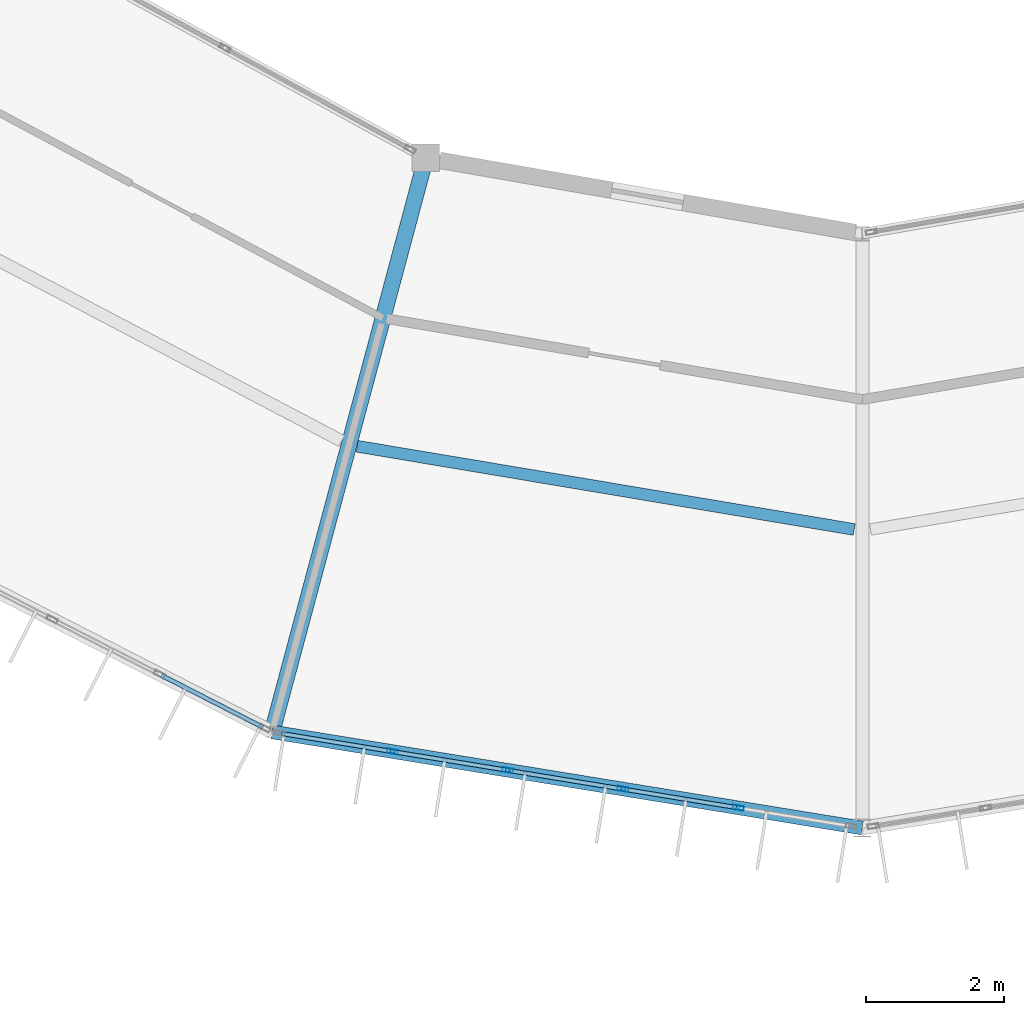
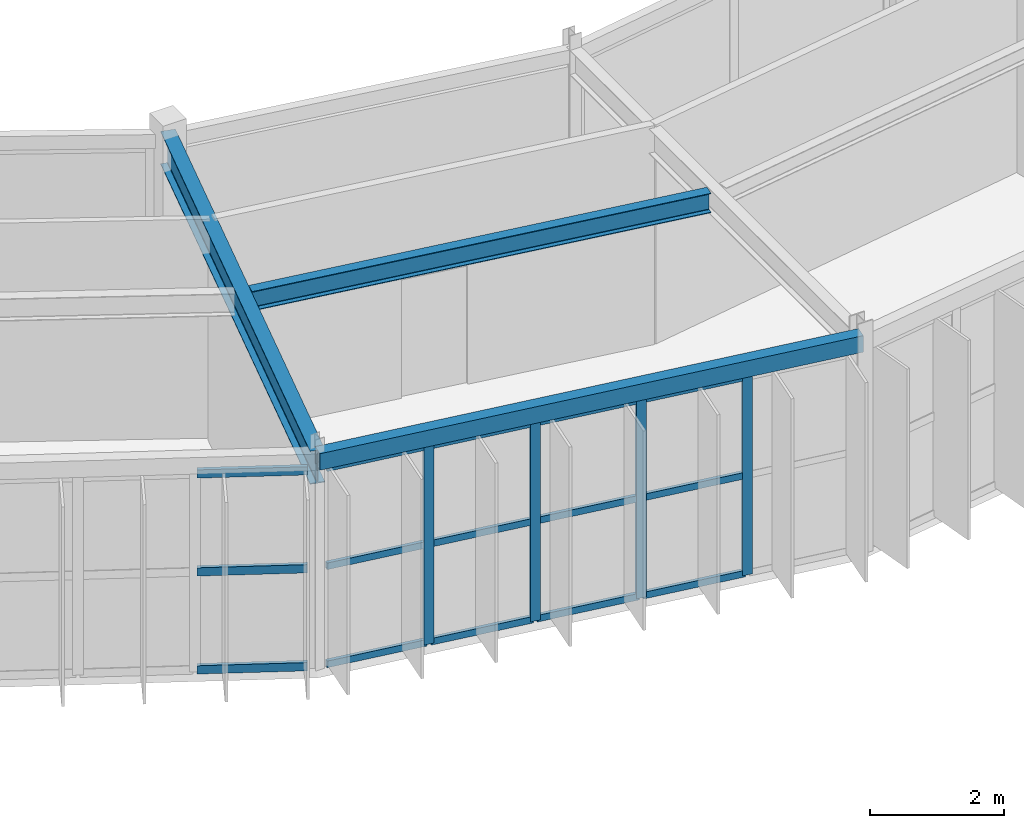
# One storey, part 32 of 157: 19 members, 3 beams, 2 elements without a shape of their own.
"""IFC4 building model written with IfcOpenShell, lengths in metres."""

from ifc_helpers import new_model, si_unit, direction, frame, origin, origin_2d, place, context, subcontext, project, spatial, hollow_rectangle, i_section, extrude, material, material_profile, profile_set, type_object, element, aggregate, save


model = new_model("IFC4")

# Units and contexts
model_context = context("Model", 3, precision=1e-05, world=origin(), true_north=direction((0.0, 1.0)))
body_context = subcontext(model_context, "Body", "Model", "MODEL_VIEW")
ifc_project = project(units=[si_unit("LENGTHUNIT", "METRE"), si_unit("AREAUNIT", "SQUARE_METRE"), si_unit("VOLUMEUNIT", "CUBIC_METRE"), si_unit("PLANEANGLEUNIT", "RADIAN"), si_unit("MASSUNIT", "GRAM", prefix="KILO")], contexts=[model_context])

# Site, building, storey
site_placement = place(None, origin())
site = spatial("IfcSite", under=ifc_project, at=site_placement, CompositionType="ELEMENT")
building_placement = place(site_placement, origin())
building = spatial("IfcBuilding", under=site, at=building_placement, Name="Karori Crest Natural Sciences Institute", CompositionType="ELEMENT")
storey_placement = place(building_placement, frame((0.0, 0.0, 13.300048828125)))
storey = spatial("IfcBuildingStorey", under=building, at=storey_placement, Name="L03", CompositionType="ELEMENT", Elevation=13.300048828125)

# Beams
ifc_material_1 = material(Name="Hollow structural steel AS/NZS 1163 Grade C350", Category="steel")
ifc_material_profile_1 = material_profile(ifc_material_1, hollow_rectangle(XDim=0.199951171875, YDim=0.300048828125, WallThickness=0.010009765625, at=origin_2d()), Name="RHS300x200x10")
ifc_profile_set_1 = profile_set([ifc_material_profile_1], Name="Hollow structural steel AS/NZS 1163 Grade C350")
beam_type_1 = type_object("IfcBeamType", Name="BT-15", PredefinedType="SPANDREL", material=ifc_profile_set_1)
beam_1_placement = place(storey_placement, frame((57.85888671875, 10.490234375, 3.7900390625), z_axis=(0.987012055933, -0.160646199591, 0.0), x_axis=(0.160646199591, 0.987012055933, 0.0)))
element("IfcBeam", 1, at=beam_1_placement, inside=storey, type_object=beam_type_1, Name="Beam B-0424", PredefinedType="SPANDREL", context=body_context, shape_type="SweptSolid", body=[
    extrude(hollow_rectangle(XDim=0.199951171875, YDim=0.300048828125, WallThickness=0.010009765625, at=origin_2d()), origin(), (0.0, 0.0, 1.0), 8.6533203125),
])
ifc_material_2 = material(Name="Structural steel AS/NZS 3679.1 Grade 350", Category="steel")
ifc_material_profile_2 = material_profile(ifc_material_2, i_section(OverallWidth=0.22802734375, OverallDepth=0.60205078125, WebThickness=0.010498046875, FlangeThickness=0.014892578125, FilletRadius=0.013916015625, at=origin_2d()), Name="610UB101")
ifc_profile_set_2 = profile_set([ifc_material_profile_2], Name="Structural steel AS/NZS 3679.1 Grade 350")
beam_type_2 = type_object("IfcBeamType", Name="BT-27", PredefinedType="BEAM", material=ifc_profile_set_2)
beam_2_placement = place(storey_placement, frame((60.084716796875, 18.797119140625, 3.638916015625), z_axis=(-0.258819806009, -0.965925622404, 0.0), x_axis=(0.965925622404, -0.258819806009, 0.0)))
element("IfcBeam", 2, at=beam_2_placement, inside=storey, type_object=beam_type_2, Name="Beam B-0426", PredefinedType="BEAM", context=body_context, shape_type="SweptSolid", body=[
    extrude(i_section(OverallWidth=0.22802734375, OverallDepth=0.60205078125, WebThickness=0.010498046875, FlangeThickness=0.014892578125, FilletRadius=0.013916015625, at=origin_2d()), origin(), (0.0, 0.0, 1.0), 8.599853515625),
])
ifc_material_profile_3 = material_profile(ifc_material_2, i_section(OverallWidth=0.1708984375, OverallDepth=0.35595703125, WebThickness=0.00732421875, FlangeThickness=0.011474609375, FilletRadius=0.010986328125, at=origin_2d()), Name="360UB50.7")
ifc_profile_set_3 = profile_set([ifc_material_profile_3], Name="Structural steel AS/NZS 3679.1 Grade 350")
beam_type_3 = type_object("IfcBeamType", Name="BT-30", PredefinedType="BEAM", material=ifc_profile_set_3)
beam_3_placement = place(storey_placement, frame((59.09033203125, 14.623779296875, 3.761962890625), z_axis=(0.986275115433, -0.165110256126, 0.0), x_axis=(0.165110256126, 0.986275115433, 0.0)))
element("IfcBeam", 3, at=beam_3_placement, inside=storey, type_object=beam_type_3, Name="Beam B-0427", PredefinedType="BEAM", context=body_context, shape_type="SweptSolid", body=[
    extrude(i_section(OverallWidth=0.1708984375, OverallDepth=0.35595703125, WebThickness=0.00732421875, FlangeThickness=0.011474609375, FilletRadius=0.010986328125, at=origin_2d()), origin(), (0.0, 0.0, 1.0), 7.291259765625),
])

# Curtain wall, members
ifc_material_3 = material(Name="Anodised architectural aluminium 6063-T6", Category="aluminium")
curtain_wall_type_1 = type_object("IfcCurtainWallType", Name="CWT-08", PredefinedType="NOTDEFINED", material=ifc_material_3)
curtain_wall_1_placement = place(storey_placement, origin())
curtain_wall_1 = element("IfcCurtainWall", 4, at=curtain_wall_1_placement, inside=storey, type_object=curtain_wall_type_1, Name="Curtain wall CW-0126", PredefinedType="NOTDEFINED")
ifc_material_profile_4 = material_profile(ifc_material_3, hollow_rectangle(XDim=0.06494140625, YDim=0.159912109375, WallThickness=0.00390625, at=origin_2d()), Name="CWM160x65x4")
ifc_profile_set_4 = profile_set([ifc_material_profile_4], Name="Anodised architectural aluminium 6063-T6")
member_type_1 = type_object("IfcMemberType", Name="CWM-01", PredefinedType="MULLION", material=ifc_profile_set_4)
member_1_placement = place(storey_placement, frame((64.60595703125, 9.39208984375, 0.0), z_axis=(0.0, 0.0, 1.0), x_axis=(-0.160655493101, -0.987010543275, 0.0)))
member_1 = element("IfcMember", 5, at=member_1_placement, type_object=member_type_1, Name="CW-0126 mullion 2", PredefinedType="MULLION", context=body_context, shape_type="SweptSolid", body=[
    extrude(hollow_rectangle(XDim=0.06494140625, YDim=0.159912109375, WallThickness=0.00390625, at=origin_2d()), origin(), (0.0, 0.0, 1.0), 3.625),
])
member_2_placement = place(storey_placement, frame((62.93798828125, 9.66357421875, 0.0), z_axis=(0.0, 0.0, 1.0), x_axis=(-0.160655493101, -0.987010543275, 0.0)))
member_2 = element("IfcMember", 6, at=member_2_placement, type_object=member_type_1, Name="CW-0126 mullion 3", PredefinedType="MULLION", context=body_context, shape_type="SweptSolid", body=[
    extrude(hollow_rectangle(XDim=0.06494140625, YDim=0.159912109375, WallThickness=0.00390625, at=origin_2d()), origin(), (0.0, 0.0, 1.0), 3.625),
])
member_3_placement = place(storey_placement, frame((61.27001953125, 9.93505859375, 0.0), z_axis=(0.0, 0.0, 1.0), x_axis=(-0.160655493101, -0.987010543275, 0.0)))
member_3 = element("IfcMember", 7, at=member_3_placement, type_object=member_type_1, Name="CW-0126 mullion 4", PredefinedType="MULLION", context=body_context, shape_type="SweptSolid", body=[
    extrude(hollow_rectangle(XDim=0.06494140625, YDim=0.159912109375, WallThickness=0.00390625, at=origin_2d()), origin(), (0.0, 0.0, 1.0), 3.625),
])
member_4_placement = place(storey_placement, frame((59.60205078125, 10.20654296875, 0.0), z_axis=(0.0, 0.0, 1.0), x_axis=(-0.160655493101, -0.987010543275, 0.0)))
member_4 = element("IfcMember", 8, at=member_4_placement, type_object=member_type_1, Name="CW-0126 mullion 5", PredefinedType="MULLION", context=body_context, shape_type="SweptSolid", body=[
    extrude(hollow_rectangle(XDim=0.06494140625, YDim=0.159912109375, WallThickness=0.00390625, at=origin_2d()), origin(), (0.0, 0.0, 1.0), 3.625),
])
ifc_material_profile_5 = material_profile(ifc_material_3, hollow_rectangle(XDim=0.06005859375, YDim=0.1201171875, WallThickness=0.00390625, at=origin_2d()), Name="CWT120x60x4")
ifc_profile_set_5 = profile_set([ifc_material_profile_5], Name="Anodised architectural aluminium 6063-T6")
member_type_2 = type_object("IfcMemberType", Name="CWT-TR1", PredefinedType="USERDEFINED", material=ifc_profile_set_5)
member_5_placement = place(storey_placement, frame((64.573974609375, 9.397216796875, 0.030029296875), z_axis=(-0.987020010371, 0.1605973198, 0.0), x_axis=(-0.1605973198, -0.987020010371, 0.0)))
member_5 = element("IfcMember", 9, at=member_5_placement, type_object=member_type_2, Name="CW-0126 transom 2.1", ObjectType="TRANSOM", PredefinedType="USERDEFINED", context=body_context, shape_type="SweptSolid", body=[
    extrude(hollow_rectangle(XDim=0.06005859375, YDim=0.1201171875, WallThickness=0.00390625, at=origin_2d()), origin(), (0.0, 0.0, 1.0), 1.625),
])
member_6_placement = place(storey_placement, frame((64.573974609375, 9.397216796875, 1.8125), z_axis=(-0.987020010371, 0.1605973198, 0.0), x_axis=(-0.1605973198, -0.987020010371, 0.0)))
member_6 = element("IfcMember", 10, at=member_6_placement, type_object=member_type_2, Name="CW-0126 transom 2.2", ObjectType="TRANSOM", PredefinedType="USERDEFINED", context=body_context, shape_type="SweptSolid", body=[
    extrude(hollow_rectangle(XDim=0.06005859375, YDim=0.1201171875, WallThickness=0.00390625, at=origin_2d()), origin(), (0.0, 0.0, 1.0), 1.625),
])
member_7_placement = place(storey_placement, frame((64.573974609375, 9.397216796875, 3.594970703125), z_axis=(-0.987020010371, 0.1605973198, 0.0), x_axis=(-0.1605973198, -0.987020010371, 0.0)))
member_7 = element("IfcMember", 11, at=member_7_placement, type_object=member_type_2, Name="CW-0126 transom 2.3", ObjectType="TRANSOM", PredefinedType="USERDEFINED", context=body_context, shape_type="SweptSolid", body=[
    extrude(hollow_rectangle(XDim=0.06005859375, YDim=0.1201171875, WallThickness=0.00390625, at=origin_2d()), origin(), (0.0, 0.0, 1.0), 1.625),
])
member_8_placement = place(storey_placement, frame((62.906005859375, 9.668701171875, 0.030029296875), z_axis=(-0.987020010371, 0.1605973198, 0.0), x_axis=(-0.1605973198, -0.987020010371, 0.0)))
member_8 = element("IfcMember", 12, at=member_8_placement, type_object=member_type_2, Name="CW-0126 transom 3.1", ObjectType="TRANSOM", PredefinedType="USERDEFINED", context=body_context, shape_type="SweptSolid", body=[
    extrude(hollow_rectangle(XDim=0.06005859375, YDim=0.1201171875, WallThickness=0.00390625, at=origin_2d()), origin(), (0.0, 0.0, 1.0), 1.625),
])
member_9_placement = place(storey_placement, frame((62.906005859375, 9.668701171875, 1.8125), z_axis=(-0.987020010371, 0.1605973198, 0.0), x_axis=(-0.1605973198, -0.987020010371, 0.0)))
member_9 = element("IfcMember", 13, at=member_9_placement, type_object=member_type_2, Name="CW-0126 transom 3.2", ObjectType="TRANSOM", PredefinedType="USERDEFINED", context=body_context, shape_type="SweptSolid", body=[
    extrude(hollow_rectangle(XDim=0.06005859375, YDim=0.1201171875, WallThickness=0.00390625, at=origin_2d()), origin(), (0.0, 0.0, 1.0), 1.625),
])
member_10_placement = place(storey_placement, frame((62.906005859375, 9.668701171875, 3.594970703125), z_axis=(-0.987020010371, 0.1605973198, 0.0), x_axis=(-0.1605973198, -0.987020010371, 0.0)))
member_10 = element("IfcMember", 14, at=member_10_placement, type_object=member_type_2, Name="CW-0126 transom 3.3", ObjectType="TRANSOM", PredefinedType="USERDEFINED", context=body_context, shape_type="SweptSolid", body=[
    extrude(hollow_rectangle(XDim=0.06005859375, YDim=0.1201171875, WallThickness=0.00390625, at=origin_2d()), origin(), (0.0, 0.0, 1.0), 1.625),
])
member_11_placement = place(storey_placement, frame((61.238037109375, 9.940185546875, 0.030029296875), z_axis=(-0.987020010371, 0.1605973198, 0.0), x_axis=(-0.1605973198, -0.987020010371, 0.0)))
member_11 = element("IfcMember", 15, at=member_11_placement, type_object=member_type_2, Name="CW-0126 transom 4.1", ObjectType="TRANSOM", PredefinedType="USERDEFINED", context=body_context, shape_type="SweptSolid", body=[
    extrude(hollow_rectangle(XDim=0.06005859375, YDim=0.1201171875, WallThickness=0.00390625, at=origin_2d()), origin(), (0.0, 0.0, 1.0), 1.625),
])
member_12_placement = place(storey_placement, frame((61.238037109375, 9.940185546875, 1.8125), z_axis=(-0.987020010371, 0.1605973198, 0.0), x_axis=(-0.1605973198, -0.987020010371, 0.0)))
member_12 = element("IfcMember", 16, at=member_12_placement, type_object=member_type_2, Name="CW-0126 transom 4.2", ObjectType="TRANSOM", PredefinedType="USERDEFINED", context=body_context, shape_type="SweptSolid", body=[
    extrude(hollow_rectangle(XDim=0.06005859375, YDim=0.1201171875, WallThickness=0.00390625, at=origin_2d()), origin(), (0.0, 0.0, 1.0), 1.625),
])
member_13_placement = place(storey_placement, frame((61.238037109375, 9.940185546875, 3.594970703125), z_axis=(-0.987020010371, 0.1605973198, 0.0), x_axis=(-0.1605973198, -0.987020010371, 0.0)))
member_13 = element("IfcMember", 17, at=member_13_placement, type_object=member_type_2, Name="CW-0126 transom 4.3", ObjectType="TRANSOM", PredefinedType="USERDEFINED", context=body_context, shape_type="SweptSolid", body=[
    extrude(hollow_rectangle(XDim=0.06005859375, YDim=0.1201171875, WallThickness=0.00390625, at=origin_2d()), origin(), (0.0, 0.0, 1.0), 1.625),
])
member_14_placement = place(storey_placement, frame((59.56982421875, 10.211669921875, 0.030029296875), z_axis=(-0.987008400747, 0.16066865548, 0.0), x_axis=(-0.16066865548, -0.987008400747, 0.0)))
member_14 = element("IfcMember", 18, at=member_14_placement, type_object=member_type_2, Name="CW-0126 transom 5.1", ObjectType="TRANSOM", PredefinedType="USERDEFINED", context=body_context, shape_type="SweptSolid", body=[
    extrude(hollow_rectangle(XDim=0.06005859375, YDim=0.1201171875, WallThickness=0.00390625, at=origin_2d()), origin(), (0.0, 0.0, 1.0), 1.592529296875),
])
member_15_placement = place(storey_placement, frame((59.56982421875, 10.211669921875, 1.8125), z_axis=(-0.987008400747, 0.16066865548, 0.0), x_axis=(-0.16066865548, -0.987008400747, 0.0)))
member_15 = element("IfcMember", 19, at=member_15_placement, type_object=member_type_2, Name="CW-0126 transom 5.2", ObjectType="TRANSOM", PredefinedType="USERDEFINED", context=body_context, shape_type="SweptSolid", body=[
    extrude(hollow_rectangle(XDim=0.06005859375, YDim=0.1201171875, WallThickness=0.00390625, at=origin_2d()), origin(), (0.0, 0.0, 1.0), 1.592529296875),
])
member_16_placement = place(storey_placement, frame((59.56982421875, 10.211669921875, 3.594970703125), z_axis=(-0.987008400747, 0.16066865548, 0.0), x_axis=(-0.16066865548, -0.987008400747, 0.0)))
member_16 = element("IfcMember", 20, at=member_16_placement, type_object=member_type_2, Name="CW-0126 transom 5.3", ObjectType="TRANSOM", PredefinedType="USERDEFINED", context=body_context, shape_type="SweptSolid", body=[
    extrude(hollow_rectangle(XDim=0.06005859375, YDim=0.1201171875, WallThickness=0.00390625, at=origin_2d()), origin(), (0.0, 0.0, 1.0), 1.592529296875),
])
aggregate(curtain_wall_1, [member_1, member_2, member_3, member_4, member_5, member_6, member_7, member_8, member_9, member_10, member_11, member_12, member_13, member_14, member_15, member_16])

curtain_wall_type_2 = type_object("IfcCurtainWallType", Name="CWT-07", PredefinedType="NOTDEFINED", material=ifc_material_3)
curtain_wall_2_placement = place(storey_placement, origin())
curtain_wall_2 = element("IfcCurtainWall", 21, at=curtain_wall_2_placement, inside=storey, type_object=curtain_wall_type_2, Name="Curtain wall CW-0124", PredefinedType="NOTDEFINED")
ifc_material_profile_6 = material_profile(ifc_material_3, hollow_rectangle(XDim=0.06494140625, YDim=0.14990234375, WallThickness=0.00390625, at=origin_2d()), Name="CWT150x65x4")
ifc_profile_set_6 = profile_set([ifc_material_profile_6], Name="Anodised architectural aluminium 6063-T6")
member_type_3 = type_object("IfcMemberType", Name="CWT-TR2", PredefinedType="USERDEFINED", material=ifc_profile_set_6)
member_17_placement = place(storey_placement, frame((57.725830078125, 10.558349609375, 0.032470703125), z_axis=(-0.890053640935, 0.455855806432, 0.0), x_axis=(-0.455855806432, -0.890053640935, 0.0)))
member_17 = element("IfcMember", 22, at=member_17_placement, type_object=member_type_3, Name="CW-0124 transom 1.1", ObjectType="TRANSOM", PredefinedType="USERDEFINED", context=body_context, shape_type="SweptSolid", body=[
    extrude(hollow_rectangle(XDim=0.06494140625, YDim=0.14990234375, WallThickness=0.00390625, at=origin_2d()), origin(), (0.0, 0.0, 1.0), 1.645751953125),
])
member_18_placement = place(storey_placement, frame((57.725830078125, 10.558349609375, 1.8125), z_axis=(-0.890053640935, 0.455855806432, 0.0), x_axis=(-0.455855806432, -0.890053640935, 0.0)))
member_18 = element("IfcMember", 23, at=member_18_placement, type_object=member_type_3, Name="CW-0124 transom 1.2", ObjectType="TRANSOM", PredefinedType="USERDEFINED", context=body_context, shape_type="SweptSolid", body=[
    extrude(hollow_rectangle(XDim=0.06494140625, YDim=0.14990234375, WallThickness=0.00390625, at=origin_2d()), origin(), (0.0, 0.0, 1.0), 1.645751953125),
])
member_19_placement = place(storey_placement, frame((57.725830078125, 10.558349609375, 3.592529296875), z_axis=(-0.890053640935, 0.455855806432, 0.0), x_axis=(-0.455855806432, -0.890053640935, 0.0)))
member_19 = element("IfcMember", 24, at=member_19_placement, type_object=member_type_3, Name="CW-0124 transom 1.3", ObjectType="TRANSOM", PredefinedType="USERDEFINED", context=body_context, shape_type="SweptSolid", body=[
    extrude(hollow_rectangle(XDim=0.06494140625, YDim=0.14990234375, WallThickness=0.00390625, at=origin_2d()), origin(), (0.0, 0.0, 1.0), 1.645751953125),
])
aggregate(curtain_wall_2, [member_17, member_18, member_19])

save(model, "model.ifc")
